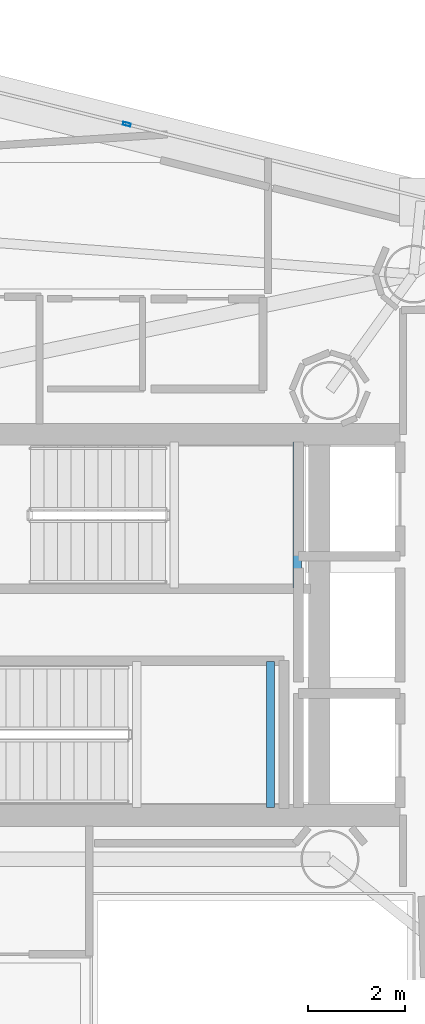
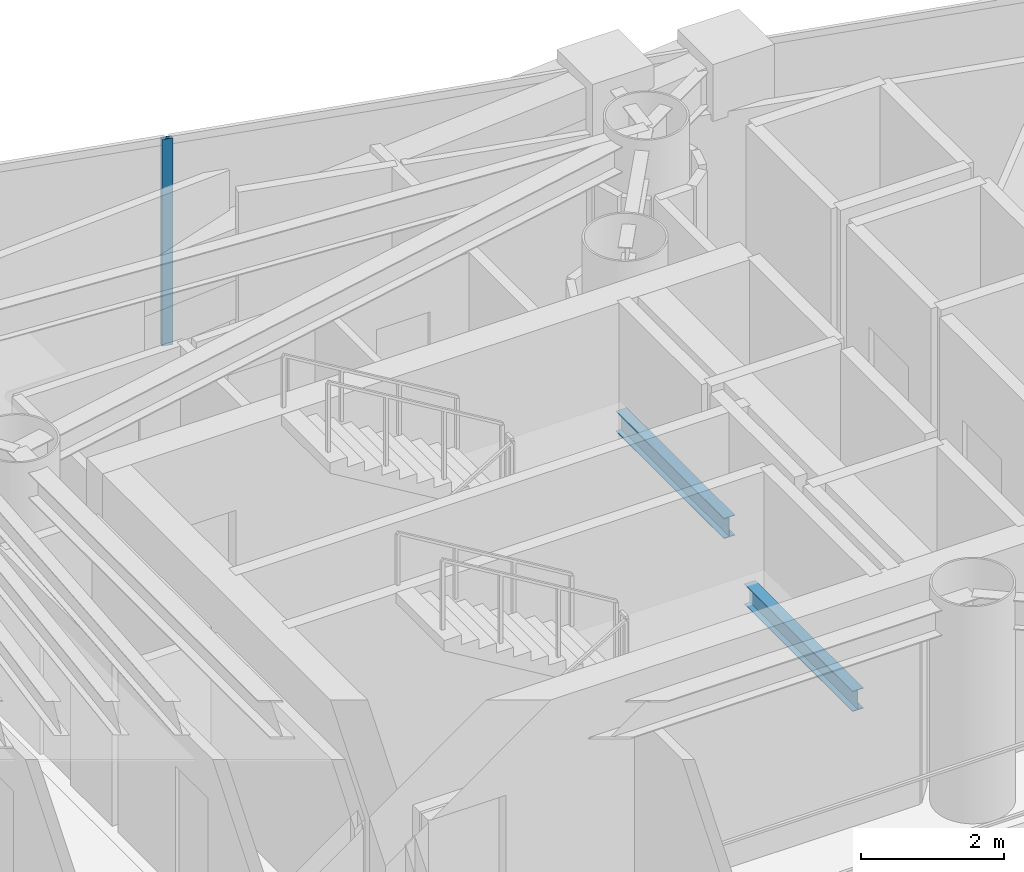
# One storey, part 13 of 23: 2 beams, 1 member, 1 element without a shape of its own.
"""IFC4 building model written with IfcOpenShell, lengths in metres."""

from ifc_helpers import new_model, si_unit, direction, frame, origin, origin_2d, place, context, subcontext, project, spatial, hollow_rectangle, i_section, extrude, material, layer, layer_set, material_profile, profile_set, type_object, element, aggregate, save


model = new_model("IFC4")

# Units and contexts
model_context = context("Model", 3, precision=1e-05, world=origin(), true_north=direction((0.0, 1.0)))
body_context = subcontext(model_context, "Body", "Model", "MODEL_VIEW")
ifc_project = project(units=[si_unit("LENGTHUNIT", "METRE"), si_unit("AREAUNIT", "SQUARE_METRE"), si_unit("VOLUMEUNIT", "CUBIC_METRE"), si_unit("PLANEANGLEUNIT", "RADIAN"), si_unit("MASSUNIT", "GRAM", prefix="KILO")], contexts=[model_context])

# Site, building, storey
site_placement = place(None, origin())
site = spatial("IfcSite", under=ifc_project, at=site_placement, CompositionType="ELEMENT")
building_placement = place(site_placement, origin())
building = spatial("IfcBuilding", under=site, at=building_placement, Name="Qianvela Tower", CompositionType="ELEMENT")
storey_placement = place(building_placement, frame((0.0, 0.0, 192.89990234375)))
storey = spatial("IfcBuildingStorey", under=building, at=storey_placement, Name="L49", CompositionType="ELEMENT", Elevation=192.89990234375)

# Beams
ifc_material_1 = material(Name="Steel Q355B", Category="steel")
ifc_material_profile_1 = material_profile(ifc_material_1, i_section(OverallWidth=0.175048828125, OverallDepth=0.35009765625, WebThickness=0.007080078125, FlangeThickness=0.010986328125, at=origin_2d()), Name="HN350x175x7x11")
ifc_profile_set_1 = profile_set([ifc_material_profile_1], Name="Steel Q355B")
beam_type = type_object("IfcBeamType", Name="BM-HN350-JOIST", PredefinedType="JOIST", material=ifc_profile_set_1)
for number, where, z_axis, x_axis, name in (
    (1, (37.719970703125, 29.4599609375, 1.47509765625), (0.0, 1.0, 0.0), (-1.0, 0.0, 0.0), "L49 Stair ST-1 Landing Support Beam 1.2"),
    (2, (37.169921875, 24.919921875, 1.47509765625), (0.0, 1.0, 0.0), (-1.0, 0.0, 0.0), "L49 Stair ST-2 Landing Support Beam 1.2"),
):
    element("IfcBeam", number, at=place(storey_placement, frame(where, z_axis=z_axis, x_axis=x_axis)), inside=storey, type_object=beam_type, Name=name, PredefinedType="JOIST", context=body_context, shape_type="SweptSolid", body=[
        extrude(i_section(OverallWidth=0.175048828125, OverallDepth=0.35009765625, WebThickness=0.007080078125, FlangeThickness=0.010986328125, at=origin_2d()), origin(), (0.0, 0.0, 1.0), 3.02001953125),
    ])

# Curtain wall, member
ifc_material_2 = material(Name="Anodised Architectural Aluminium and Insulated Spandrel Panel", Category="aluminium")
ifc_layer = layer(ifc_material_2, 0.179931640625)
ifc_layer_set = layer_set([ifc_layer], Name="Anodised Architectural Aluminium and Insulated Spandrel Panel")
curtain_wall_type = type_object("IfcCurtainWallType", Name="CW-BRACEBAY", PredefinedType="USERDEFINED", material=ifc_layer_set)
curtain_wall_placement = place(storey_placement, origin())
curtain_wall = element("IfcCurtainWall", 3, at=curtain_wall_placement, inside=storey, type_object=curtain_wall_type, Name="L49 CW-BRACEBAY Curtain Wall 02B", ObjectType="CURTAIN_WALL_SYSTEM", PredefinedType="USERDEFINED")
ifc_material_3 = material(Name="Anodised Architectural Aluminium 6063-T6", Category="aluminium")
ifc_material_profile_2 = material_profile(ifc_material_3, hollow_rectangle(XDim=0.06494140625, YDim=0.159912109375, WallThickness=0.0048828125, at=origin_2d()), Name="ALU-MULL-65x160")
ifc_profile_set_2 = profile_set([ifc_material_profile_2], Name="Anodised Architectural Aluminium 6063-T6")
member_type = type_object("IfcMemberType", Name="CW-BRACEBAY-MULL", PredefinedType="MULLION", material=ifc_profile_set_2)
member_placement = place(storey_placement, frame((34.195556640625, 39.061767578125, 0.0), z_axis=(0.0, 0.0, 1.0), x_axis=(-0.241124089364, -0.970494293403, 0.0)))
member = element("IfcMember", 4, at=member_placement, type_object=member_type, Name="CW-9 mullion 2", PredefinedType="MULLION", context=body_context, shape_type="SweptSolid", body=[
    extrude(hollow_rectangle(XDim=0.06494140625, YDim=0.159912109375, WallThickness=0.0048828125, at=origin_2d()), origin(), (0.0, 0.0, 1.0), 3.52001953125),
])
aggregate(curtain_wall, [member])

save(model, "model.ifc")
